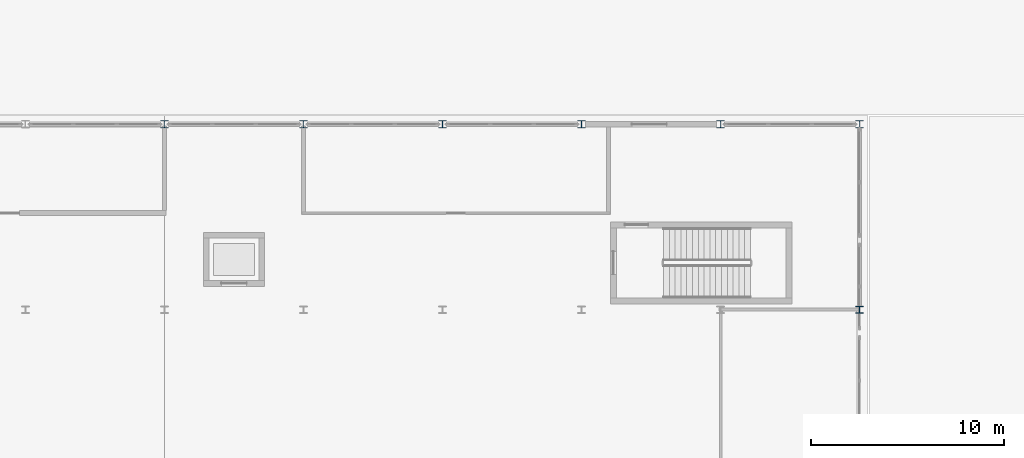
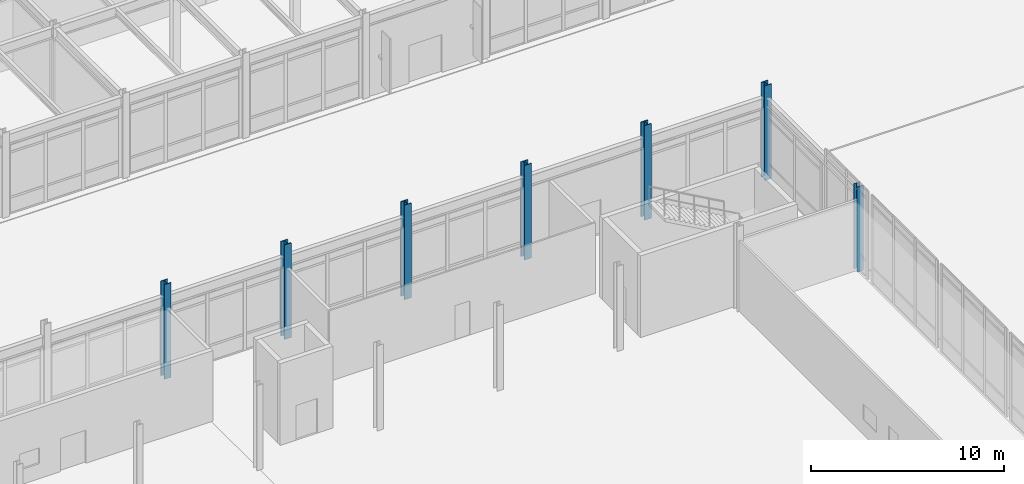
# One storey, part 4 of 104: 7 columns.
"""IFC4 building model written with IfcOpenShell, lengths in metres."""

from ifc_helpers import new_model, si_unit, direction, frame, origin, origin_2d, place, context, subcontext, project, spatial, i_section, extrude, material, material_profile, profile_set, type_object, element, save


model = new_model("IFC4")

# Units and contexts
model_context = context("Model", 3, precision=1e-05, world=origin(), true_north=direction((0.0, 1.0)))
body_context = subcontext(model_context, "Body", "Model", "MODEL_VIEW")
ifc_project = project(units=[si_unit("LENGTHUNIT", "METRE"), si_unit("AREAUNIT", "SQUARE_METRE"), si_unit("VOLUMEUNIT", "CUBIC_METRE"), si_unit("PLANEANGLEUNIT", "RADIAN"), si_unit("MASSUNIT", "GRAM", prefix="KILO")], contexts=[model_context])

# Site, building, storey
site_placement = place(None, origin())
site = spatial("IfcSite", under=ifc_project, at=site_placement, CompositionType="ELEMENT")
building_placement = place(site_placement, origin())
building = spatial("IfcBuilding", under=site, at=building_placement, Name="Vaelcorin Mobility Hub", CompositionType="ELEMENT")
storey_placement = place(building_placement, origin())
storey = spatial("IfcBuildingStorey", under=building, at=storey_placement, Name="L00", CompositionType="ELEMENT", Elevation=0.0)

# Columns
ifc_material = material(Name="Steel ASTM A992 Grade 50", Category="steel")
ifc_material_profile_1 = material_profile(ifc_material, i_section(OverallWidth=0.373046875, OverallDepth=0.373046875, WebThickness=0.016357421875, FlangeThickness=0.026123046875, FilletRadius=0.014892578125, at=origin_2d()), Name="W14X132")
ifc_profile_set_1 = profile_set([ifc_material_profile_1], Name="Steel ASTM A992 Grade 50")
column_type_1 = type_object("IfcColumnType", Name="COL-W14X132", PredefinedType="COLUMN", material=ifc_profile_set_1)
column_placement = place(storey_placement, frame((108.0, 50.39990234375, 0.0), z_axis=(0.0, 0.0, 1.0), x_axis=(1.0, 0.0, 0.0)))
element("IfcColumn", 1, at=column_placement, inside=storey, type_object=column_type_1, Name="Column V1-X11-gal L00", PredefinedType="COLUMN", context=body_context, shape_type="SweptSolid", body=[
    extrude(i_section(OverallWidth=0.373046875, OverallDepth=0.373046875, WebThickness=0.016357421875, FlangeThickness=0.026123046875, FilletRadius=0.014892578125, at=origin_2d()), origin(), (0.0, 0.0, 1.0), 5.39990234375),
])
ifc_material_profile_2 = material_profile(ifc_material, i_section(OverallWidth=0.404052734375, OverallDepth=0.406005859375, WebThickness=0.027099609375, FlangeThickness=0.043701171875, FilletRadius=0.014892578125, at=origin_2d()), Name="W14X233")
ifc_profile_set_2 = profile_set([ifc_material_profile_2], Name="Steel ASTM A992 Grade 50")
column_type_2 = type_object("IfcColumnType", Name="COL-W14X233", PredefinedType="COLUMN", material=ifc_profile_set_2)
for number, where, z_axis, x_axis, name in (
    (2, (72.0, 60.0, 0.0), (0.0, 0.0, 1.0), (1.0, 0.0, 0.0), "Column V1-X06-arch_n L00"),
    (3, (79.199951171875, 60.0, 0.0), (0.0, 0.0, 1.0), (1.0, 0.0, 0.0), "Column V1-X07-arch_n L00"),
    (4, (86.39990234375, 60.0, 0.0), (0.0, 0.0, 1.0), (1.0, 0.0, 0.0), "Column V1-X08-arch_n L00"),
    (5, (93.60009765625, 60.0, 0.0), (0.0, 0.0, 1.0), (1.0, 0.0, 0.0), "Column V1-X09-arch_n L00"),
    (6, (100.800048828125, 60.0, 0.0), (0.0, 0.0, 1.0), (1.0, 0.0, 0.0), "Column V1-X10-arch_n L00"),
    (7, (108.0, 60.0, 0.0), (0.0, 0.0, 1.0), (1.0, 0.0, 0.0), "Column V1-X11-arch_n L00"),
):
    element("IfcColumn", number, at=place(storey_placement, frame(where, z_axis=z_axis, x_axis=x_axis)), inside=storey, type_object=column_type_2, Name=name, PredefinedType="COLUMN", context=body_context, shape_type="SweptSolid", body=[
        extrude(i_section(OverallWidth=0.404052734375, OverallDepth=0.406005859375, WebThickness=0.027099609375, FlangeThickness=0.043701171875, FilletRadius=0.014892578125, at=origin_2d()), origin(), (0.0, 0.0, 1.0), 6.0),
    ])

save(model, "model.ifc")
